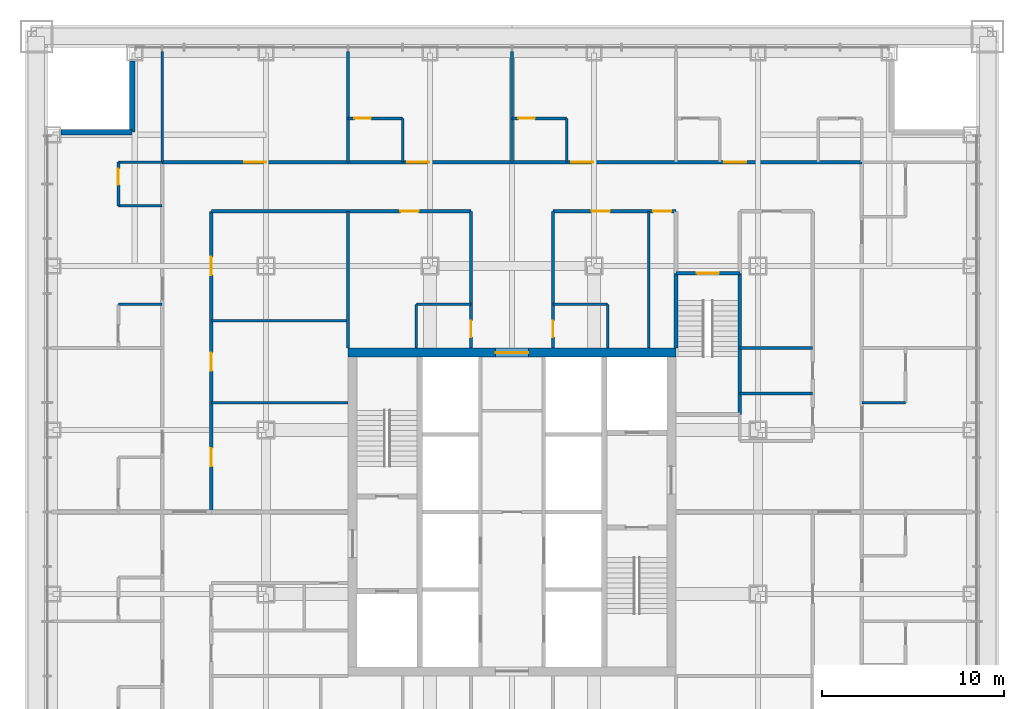
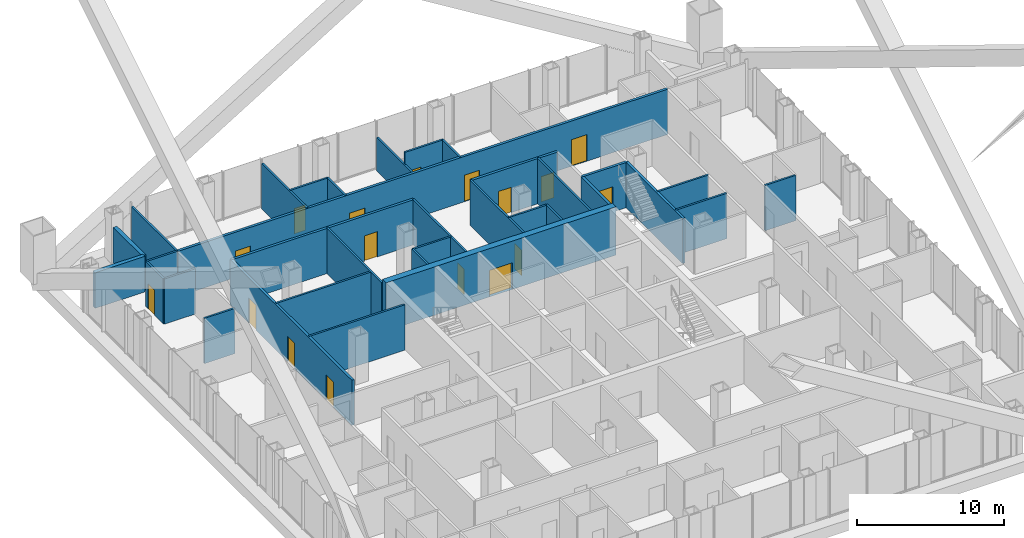
# One storey, part 15 of 21: 34 walls, 17 doors, 17 openings.
"""IFC4 building model written with IfcOpenShell, lengths in metres."""

from ifc_helpers import new_model, si_unit, direction, frame, frame_2d, origin, place, context, subcontext, project, spatial, rectangle, extrude, material, layer, layer_set, type_object, element, fill, save


model = new_model("IFC4")

# Units and contexts
model_context = context("Model", 3, precision=1e-05, world=origin(), true_north=direction((0.0, 1.0)))
body_context = subcontext(model_context, "Body", "Model", "MODEL_VIEW")
ifc_project = project(units=[si_unit("LENGTHUNIT", "METRE"), si_unit("AREAUNIT", "SQUARE_METRE"), si_unit("VOLUMEUNIT", "CUBIC_METRE"), si_unit("PLANEANGLEUNIT", "RADIAN"), si_unit("MASSUNIT", "GRAM", prefix="KILO")], contexts=[model_context])

# Site, building, storey
site_placement = place(None, origin())
site = spatial("IfcSite", under=ifc_project, at=site_placement, CompositionType="ELEMENT")
building_placement = place(site_placement, origin())
building = spatial("IfcBuilding", under=site, at=building_placement, Name="Malebo Sky Hospital", CompositionType="ELEMENT")
storey_placement = place(building_placement, frame((0.0, 0.0, 63.0)))
storey = spatial("IfcBuildingStorey", under=building, at=storey_placement, Name="L14", CompositionType="ELEMENT", Elevation=63.0)

# Wall, opening, door
ifc_material_1 = material(Name="Concrete C80/95", Category="concrete")
ifc_layer_1 = layer(ifc_material_1, 0.5)
ifc_layer_set_1 = layer_set([ifc_layer_1], Name="CORE WALL 500")
wall_type_1 = type_object("IfcWallType", Name="CORE WALL 500", PredefinedType="SHEAR", material=ifc_layer_set_1)
wall_1_placement = place(storey_placement, frame((51.0, 70.75, 0.0), z_axis=(0.0, 0.0, 1.0), x_axis=(1.0, 0.0, 0.0)))
wall_1 = element("IfcWall", 1, at=wall_1_placement, inside=storey, type_object=wall_type_1, Name="Core wall N L14", PredefinedType="SHEAR", context=body_context, shape_type="SweptSolid", body=[
    extrude(rectangle(XDim=18.0, YDim=0.5, at=frame_2d((9.0, 0.0))), origin(), (0.0, 0.0, 1.0), 4.0),
])
opening_1_placement = place(wall_1_placement, frame((8.10009765625, 0.0, 0.0)))
opening_1 = element("IfcOpeningElement", 2, at=opening_1_placement, cuts=wall_1, Name="Opening D06", PredefinedType="OPENING", context=body_context, shape_type="SweptSolid", body=[
    extrude(rectangle(XDim=1.800048828125, YDim=2.199951171875, at=frame_2d((0.89990234375, 1.10009765625))), frame((0.0, 0.260009765625, 0.0), z_axis=(0.0, -1.0, 0.0), x_axis=(1.0, 0.0, 0.0)), (0.0, 0.0, 1.0), 0.52001953125),
])
ifc_material_2 = material(Name="Hardwood-faced door leaf in steel frame", Category="steel")
door_type_1 = type_object("IfcDoorType", Name="LOBBY DOOR PAIR 1800", OperationType="DOUBLE_DOOR_SINGLE_SWING", PredefinedType="DOOR", material=ifc_material_2)
door_1_placement = place(opening_1_placement, origin())
door_1 = element("IfcDoor", 3, at=door_1_placement, inside=storey, type_object=door_type_1, Name="vending room door north", OperationType="DOUBLE_DOOR_SINGLE_SWING", OverallHeight=2.199951171875, OverallWidth=1.800048828125, PredefinedType="DOOR", context=body_context, shape_type="SweptSolid", body=[
    extrude(rectangle(XDim=1.800048828125, YDim=2.199951171875, at=frame_2d((0.89990234375, 1.10009765625))), frame((0.0, 0.02490234375, 0.0), z_axis=(0.0, -1.0, 0.0), x_axis=(1.0, 0.0, 0.0)), (0.0, 0.0, 1.0), 0.050048828125),
])
fill(opening_1, door_1)

# Wall, openings, doors
ifc_material_3 = material(Name="Gypsum board on steel studs", Category="steel")
ifc_layer_2 = layer(ifc_material_3, 0.199951171875)
ifc_layer_set_2 = layer_set([ifc_layer_2], Name="CORRIDOR WALL 200")
wall_type_2 = type_object("IfcWallType", Name="CORRIDOR WALL 200", PredefinedType="PARTITIONING", material=ifc_layer_set_2)
wall_2_placement = place(storey_placement, frame((40.800048828125, 81.199951171875, 0.0), z_axis=(0.0, 0.0, 1.0), x_axis=(1.0, 0.0, 0.0)))
wall_2 = element("IfcWall", 4, at=wall_2_placement, inside=storey, type_object=wall_type_2, Name="Corridor Wall 200 NCO", PredefinedType="PARTITIONING", context=body_context, shape_type="SweptSolid", body=[
    extrude(rectangle(XDim=38.39990234375, YDim=0.199951171875, at=frame_2d((19.199951171875, 0.0))), origin(), (0.0, 0.0, 1.0), 3.75),
])
opening_2_placement = place(wall_2_placement, frame((4.5, 0.0, 0.0)))
opening_2 = element("IfcOpeningElement", 5, at=opening_2_placement, cuts=wall_2, Name="Opening D01", PredefinedType="OPENING", context=body_context, shape_type="SweptSolid", body=[
    extrude(rectangle(XDim=1.199951171875, YDim=2.199951171875, at=frame_2d((0.60009765625, 1.10009765625))), frame((0.0, 0.10986328125, 0.0), z_axis=(0.0, -1.0, 0.0), x_axis=(1.0, 0.0, 0.0)), (0.0, 0.0, 1.0), 0.219970703125),
])
opening_3_placement = place(wall_2_placement, frame((13.449951171875, 0.0, 0.0)))
opening_3 = element("IfcOpeningElement", 6, at=opening_3_placement, cuts=wall_2, Name="Opening D01", PredefinedType="OPENING", context=body_context, shape_type="SweptSolid", body=[
    extrude(rectangle(XDim=1.199951171875, YDim=2.199951171875, at=frame_2d((0.60009765625, 1.10009765625))), frame((0.0, 0.10986328125, 0.0), z_axis=(0.0, -1.0, 0.0), x_axis=(1.0, 0.0, 0.0)), (0.0, 0.0, 1.0), 0.219970703125),
])
opening_4_placement = place(wall_2_placement, frame((22.449951171875, 0.0, 0.0)))
opening_4 = element("IfcOpeningElement", 7, at=opening_4_placement, cuts=wall_2, Name="Opening D01", PredefinedType="OPENING", context=body_context, shape_type="SweptSolid", body=[
    extrude(rectangle(XDim=1.199951171875, YDim=2.199951171875, at=frame_2d((0.60009765625, 1.10009765625))), frame((0.0, 0.10986328125, 0.0), z_axis=(0.0, -1.0, 0.0), x_axis=(1.0, 0.0, 0.0)), (0.0, 0.0, 1.0), 0.219970703125),
])
opening_5_placement = place(wall_2_placement, frame((30.85009765625, 0.0, 0.0)))
opening_5 = element("IfcOpeningElement", 8, at=opening_5_placement, cuts=wall_2, Name="Opening D01", PredefinedType="OPENING", context=body_context, shape_type="SweptSolid", body=[
    extrude(rectangle(XDim=1.199951171875, YDim=2.199951171875, at=frame_2d((0.60009765625, 1.10009765625))), frame((0.0, 0.10986328125, 0.0), z_axis=(0.0, -1.0, 0.0), x_axis=(1.0, 0.0, 0.0)), (0.0, 0.0, 1.0), 0.219970703125),
])
door_type_2 = type_object("IfcDoorType", Name="BED DOOR 1200", OperationType="SINGLE_SWING_LEFT", PredefinedType="DOOR", material=ifc_material_2)
door_2_placement = place(opening_2_placement, origin())
door_2 = element("IfcDoor", 9, at=door_2_placement, inside=storey, type_object=door_type_2, Name="Therapy room door", OperationType="SINGLE_SWING_LEFT", OverallHeight=2.199951171875, OverallWidth=1.199951171875, PredefinedType="DOOR", context=body_context, shape_type="SweptSolid", body=[
    extrude(rectangle(XDim=1.199951171875, YDim=2.199951171875, at=frame_2d((0.60009765625, 1.10009765625))), frame((0.0, 0.02490234375, 0.0), z_axis=(0.0, -1.0, 0.0), x_axis=(1.0, 0.0, 0.0)), (0.0, 0.0, 1.0), 0.050048828125),
])
fill(opening_2, door_2)
door_3_placement = place(opening_3_placement, origin())
door_3 = element("IfcDoor", 10, at=door_3_placement, inside=storey, type_object=door_type_2, Name="Two-bed room door", OperationType="SINGLE_SWING_LEFT", OverallHeight=2.199951171875, OverallWidth=1.199951171875, PredefinedType="DOOR", context=body_context, shape_type="SweptSolid", body=[
    extrude(rectangle(XDim=1.199951171875, YDim=2.199951171875, at=frame_2d((0.60009765625, 1.10009765625))), frame((0.0, 0.02490234375, 0.0), z_axis=(0.0, -1.0, 0.0), x_axis=(1.0, 0.0, 0.0)), (0.0, 0.0, 1.0), 0.050048828125),
])
fill(opening_3, door_3)
door_4_placement = place(opening_4_placement, origin())
door_4 = element("IfcDoor", 11, at=door_4_placement, inside=storey, type_object=door_type_2, Name="Two-bed room door", OperationType="SINGLE_SWING_LEFT", OverallHeight=2.199951171875, OverallWidth=1.199951171875, PredefinedType="DOOR", context=body_context, shape_type="SweptSolid", body=[
    extrude(rectangle(XDim=1.199951171875, YDim=2.199951171875, at=frame_2d((0.60009765625, 1.10009765625))), frame((0.0, 0.02490234375, 0.0), z_axis=(0.0, -1.0, 0.0), x_axis=(1.0, 0.0, 0.0)), (0.0, 0.0, 1.0), 0.050048828125),
])
fill(opening_4, door_4)
door_5_placement = place(opening_5_placement, origin())
door_5 = element("IfcDoor", 12, at=door_5_placement, inside=storey, type_object=door_type_2, Name="Four-bed bay door", OperationType="SINGLE_SWING_LEFT", OverallHeight=2.199951171875, OverallWidth=1.199951171875, PredefinedType="DOOR", context=body_context, shape_type="SweptSolid", body=[
    extrude(rectangle(XDim=1.199951171875, YDim=2.199951171875, at=frame_2d((0.60009765625, 1.10009765625))), frame((0.0, 0.02490234375, 0.0), z_axis=(0.0, -1.0, 0.0), x_axis=(1.0, 0.0, 0.0)), (0.0, 0.0, 1.0), 0.050048828125),
])
fill(opening_5, door_5)

# Wall, opening, door
wall_3_placement = place(storey_placement, frame((43.5, 78.5, 0.0), z_axis=(0.0, 0.0, 1.0), x_axis=(1.0, 0.0, 0.0)))
wall_3 = element("IfcWall", 13, at=wall_3_placement, inside=storey, type_object=wall_type_2, Name="Corridor Wall 200 NCI1", PredefinedType="PARTITIONING", context=body_context, shape_type="SweptSolid", body=[
    extrude(rectangle(XDim=14.25, YDim=0.199951171875, at=frame_2d((7.125, 0.0))), origin(), (0.0, 0.0, 1.0), 3.75),
])
opening_6_placement = place(wall_3_placement, frame((10.375, 0.0, 0.0)))
opening_6 = element("IfcOpeningElement", 14, at=opening_6_placement, cuts=wall_3, Name="Opening D03", PredefinedType="OPENING", context=body_context, shape_type="SweptSolid", body=[
    extrude(rectangle(XDim=1.0, YDim=2.10009765625, at=frame_2d((0.5, 1.050048828125))), frame((0.0, 0.10986328125, 0.0), z_axis=(0.0, -1.0, 0.0), x_axis=(1.0, 0.0, 0.0)), (0.0, 0.0, 1.0), 0.219970703125),
])
door_type_3 = type_object("IfcDoorType", Name="ROOM DOOR 1000", OperationType="SINGLE_SWING_LEFT", PredefinedType="DOOR", material=ifc_material_2)
door_6_placement = place(opening_6_placement, origin())
door_6 = element("IfcDoor", 15, at=door_6_placement, inside=storey, type_object=door_type_3, Name="Ward pantry door", OperationType="SINGLE_SWING_LEFT", OverallHeight=2.10009765625, OverallWidth=1.0, PredefinedType="DOOR", context=body_context, shape_type="SweptSolid", body=[
    extrude(rectangle(XDim=1.0, YDim=2.10009765625, at=frame_2d((0.5, 1.050048828125))), frame((0.0, 0.02490234375, 0.0), z_axis=(0.0, -1.0, 0.0), x_axis=(1.0, 0.0, 0.0)), (0.0, 0.0, 1.0), 0.050048828125),
])
fill(opening_6, door_6)

# Wall, openings, doors
wall_4_placement = place(storey_placement, frame((62.25, 78.5, 0.0), z_axis=(0.0, 0.0, 1.0), x_axis=(1.0, 0.0, 0.0)))
wall_4 = element("IfcWall", 16, at=wall_4_placement, inside=storey, type_object=wall_type_2, Name="Corridor Wall 200 NCI2", PredefinedType="PARTITIONING", context=body_context, shape_type="SweptSolid", body=[
    extrude(rectangle(XDim=6.75, YDim=0.199951171875, at=frame_2d((3.375, 0.0))), origin(), (0.0, 0.0, 1.0), 3.75),
])
opening_7_placement = place(wall_4_placement, frame((2.125, 0.0, 0.0)))
opening_7 = element("IfcOpeningElement", 17, at=opening_7_placement, cuts=wall_4, Name="Opening D03", PredefinedType="OPENING", context=body_context, shape_type="SweptSolid", body=[
    extrude(rectangle(XDim=1.0, YDim=2.10009765625, at=frame_2d((0.5, 1.050048828125))), frame((0.0, 0.10986328125, 0.0), z_axis=(0.0, -1.0, 0.0), x_axis=(1.0, 0.0, 0.0)), (0.0, 0.0, 1.0), 0.219970703125),
])
opening_8_placement = place(wall_4_placement, frame((5.5, 0.0, 0.0)))
opening_8 = element("IfcOpeningElement", 18, at=opening_8_placement, cuts=wall_4, Name="Opening D03", PredefinedType="OPENING", context=body_context, shape_type="SweptSolid", body=[
    extrude(rectangle(XDim=1.0, YDim=2.10009765625, at=frame_2d((0.5, 1.050048828125))), frame((0.0, 0.10986328125, 0.0), z_axis=(0.0, -1.0, 0.0), x_axis=(1.0, 0.0, 0.0)), (0.0, 0.0, 1.0), 0.219970703125),
])
door_7_placement = place(opening_7_placement, origin())
door_7 = element("IfcDoor", 19, at=door_7_placement, inside=storey, type_object=door_type_3, Name="Clean utility room door", OperationType="SINGLE_SWING_LEFT", OverallHeight=2.10009765625, OverallWidth=1.0, PredefinedType="DOOR", context=body_context, shape_type="SweptSolid", body=[
    extrude(rectangle(XDim=1.0, YDim=2.10009765625, at=frame_2d((0.5, 1.050048828125))), frame((0.0, 0.02490234375, 0.0), z_axis=(0.0, -1.0, 0.0), x_axis=(1.0, 0.0, 0.0)), (0.0, 0.0, 1.0), 0.050048828125),
])
fill(opening_7, door_7)
door_8_placement = place(opening_8_placement, origin())
door_8 = element("IfcDoor", 20, at=door_8_placement, inside=storey, type_object=door_type_3, Name="Physiotherapy store door", OperationType="SINGLE_SWING_RIGHT", OverallHeight=2.10009765625, OverallWidth=1.0, PredefinedType="DOOR", context=body_context, shape_type="SweptSolid", body=[
    extrude(rectangle(XDim=1.0, YDim=2.10009765625, at=frame_2d((0.5, 1.050048828125))), frame((0.0, 0.02490234375, 0.0), z_axis=(0.0, -1.0, 0.0), x_axis=(1.0, 0.0, 0.0)), (0.0, 0.0, 1.0), 0.050048828125),
])
fill(opening_8, door_8)

wall_5_placement = place(storey_placement, frame((43.5, 62.0, 0.0), z_axis=(0.0, 0.0, 1.0), x_axis=(0.0, 1.0, 0.0)))
wall_5 = element("IfcWall", 21, at=wall_5_placement, inside=storey, type_object=wall_type_2, Name="Corridor Wall 200 WCI2", PredefinedType="PARTITIONING", context=body_context, shape_type="SweptSolid", body=[
    extrude(rectangle(XDim=16.5, YDim=0.199951171875, at=frame_2d((8.25, 0.0))), origin(), (0.0, 0.0, 1.0), 3.75),
])
opening_9_placement = place(wall_5_placement, frame((2.5, 0.0, 0.0)))
opening_9 = element("IfcOpeningElement", 22, at=opening_9_placement, cuts=wall_5, Name="Opening D03", PredefinedType="OPENING", context=body_context, shape_type="SweptSolid", body=[
    extrude(rectangle(XDim=1.0, YDim=2.10009765625, at=frame_2d((0.5, 1.050048828125))), frame((0.0, 0.10986328125, 0.0), z_axis=(0.0, -1.0, 0.0), x_axis=(1.0, 0.0, 0.0)), (0.0, 0.0, 1.0), 0.219970703125),
])
opening_10_placement = place(wall_5_placement, frame((7.75, 0.0, 0.0)))
opening_10 = element("IfcOpeningElement", 23, at=opening_10_placement, cuts=wall_5, Name="Opening D03", PredefinedType="OPENING", context=body_context, shape_type="SweptSolid", body=[
    extrude(rectangle(XDim=1.0, YDim=2.10009765625, at=frame_2d((0.5, 1.050048828125))), frame((0.0, 0.10986328125, 0.0), z_axis=(0.0, -1.0, 0.0), x_axis=(1.0, 0.0, 0.0)), (0.0, 0.0, 1.0), 0.219970703125),
])
opening_11_placement = place(wall_5_placement, frame((13.0, 0.0, 0.0)))
opening_11 = element("IfcOpeningElement", 24, at=opening_11_placement, cuts=wall_5, Name="Opening D03", PredefinedType="OPENING", context=body_context, shape_type="SweptSolid", body=[
    extrude(rectangle(XDim=1.0, YDim=2.10009765625, at=frame_2d((0.5, 1.050048828125))), frame((0.0, 0.10986328125, 0.0), z_axis=(0.0, -1.0, 0.0), x_axis=(1.0, 0.0, 0.0)), (0.0, 0.0, 1.0), 0.219970703125),
])
door_9_placement = place(opening_9_placement, origin())
door_9 = element("IfcDoor", 25, at=door_9_placement, inside=storey, type_object=door_type_3, Name="Plaster room door", OperationType="SINGLE_SWING_LEFT", OverallHeight=2.10009765625, OverallWidth=1.0, PredefinedType="DOOR", context=body_context, shape_type="SweptSolid", body=[
    extrude(rectangle(XDim=1.0, YDim=2.10009765625, at=frame_2d((0.5, 1.050048828125))), frame((0.0, 0.02490234375, 0.0), z_axis=(0.0, -1.0, 0.0), x_axis=(1.0, 0.0, 0.0)), (0.0, 0.0, 1.0), 0.050048828125),
])
fill(opening_9, door_9)
door_10_placement = place(opening_10_placement, origin())
door_10 = element("IfcDoor", 26, at=door_10_placement, inside=storey, type_object=door_type_3, Name="Orthotics fitting room door", OperationType="SINGLE_SWING_LEFT", OverallHeight=2.10009765625, OverallWidth=1.0, PredefinedType="DOOR", context=body_context, shape_type="SweptSolid", body=[
    extrude(rectangle(XDim=1.0, YDim=2.10009765625, at=frame_2d((0.5, 1.050048828125))), frame((0.0, 0.02490234375, 0.0), z_axis=(0.0, -1.0, 0.0), x_axis=(1.0, 0.0, 0.0)), (0.0, 0.0, 1.0), 0.050048828125),
])
fill(opening_10, door_10)
door_11_placement = place(opening_11_placement, origin())
door_11 = element("IfcDoor", 27, at=door_11_placement, inside=storey, type_object=door_type_3, Name="Equipment bay store door", OperationType="SINGLE_SWING_RIGHT", OverallHeight=2.10009765625, OverallWidth=1.0, PredefinedType="DOOR", context=body_context, shape_type="SweptSolid", body=[
    extrude(rectangle(XDim=1.0, YDim=2.10009765625, at=frame_2d((0.5, 1.050048828125))), frame((0.0, 0.02490234375, 0.0), z_axis=(0.0, -1.0, 0.0), x_axis=(1.0, 0.0, 0.0)), (0.0, 0.0, 1.0), 0.050048828125),
])
fill(opening_11, door_11)

# Walls
ifc_material_4 = material(Name="Anodised aluminium rainscreen on steel framing", Category="steel")
ifc_layer_3 = layer(ifc_material_4, 0.300048828125)
ifc_layer_set_3 = layer_set([ifc_layer_3], Name="NOTCH RAINSCREEN WALL 300")
wall_type_3 = type_object("IfcWallType", Name="NOTCH RAINSCREEN WALL 300", PredefinedType="ELEMENTEDWALL", material=ifc_layer_set_3)
for number, where, z_axis, x_axis, name in (
    (28, (35.25, 82.85009765625, 0.0), (0.0, 0.0, 1.0), (1.0, 0.0, 0.0), "Notch rainscreen wall W1 L14"),
    (29, (39.14990234375, 82.85009765625, 0.0), (0.0, 0.0, 1.0), (0.0, 1.0, 0.0), "Notch rainscreen wall W2 L14"),
):
    element("IfcWall", number, at=place(storey_placement, frame(where, z_axis=z_axis, x_axis=x_axis)), inside=storey, type_object=wall_type_3, Name=name, PredefinedType="ELEMENTEDWALL", context=body_context, shape_type="SweptSolid", body=[
        extrude(rectangle(XDim=3.89990234375, YDim=0.300048828125, at=frame_2d((1.949951171875, 0.0))), origin(), (0.0, 0.0, 1.0), 2.949951171875),
    ])
ifc_layer_4 = layer(ifc_material_3, 0.14990234375)
ifc_layer_set_4 = layer_set([ifc_layer_4], Name="PARTITION 150")
wall_type_4 = type_object("IfcWallType", Name="PARTITION 150", PredefinedType="PARTITIONING", material=ifc_layer_set_4)
wall_6_placement = place(storey_placement, frame((51.0, 81.199951171875, 0.0), z_axis=(0.0, 0.0, 1.0), x_axis=(0.0, 1.0, 0.0)))
element("IfcWall", 30, at=wall_6_placement, inside=storey, type_object=wall_type_4, Name="Partition 150 NP-9.0", PredefinedType="PARTITIONING", context=body_context, shape_type="SweptSolid", body=[
    extrude(rectangle(XDim=6.074951171875, YDim=0.14990234375, at=frame_2d((3.03759765625, 0.0))), origin(), (0.0, 0.0, 1.0), 3.75),
])
wall_7_placement = place(storey_placement, frame((60.0, 81.199951171875, 0.0), z_axis=(0.0, 0.0, 1.0), x_axis=(0.0, 1.0, 0.0)))
element("IfcWall", 31, at=wall_7_placement, inside=storey, type_object=wall_type_4, Name="Partition 150 NP+0.0", PredefinedType="PARTITIONING", context=body_context, shape_type="SweptSolid", body=[
    extrude(rectangle(XDim=6.074951171875, YDim=0.14990234375, at=frame_2d((3.03759765625, 0.0))), origin(), (0.0, 0.0, 1.0), 2.75),
])
wall_8_placement = place(storey_placement, frame((40.800048828125, 81.199951171875, 0.0), z_axis=(0.0, 0.0, 1.0), x_axis=(0.0, 1.0, 0.0)))
element("IfcWall", 32, at=wall_8_placement, inside=storey, type_object=wall_type_4, Name="Partition 150 NP0", PredefinedType="PARTITIONING", context=body_context, shape_type="SweptSolid", body=[
    extrude(rectangle(XDim=6.074951171875, YDim=0.14990234375, at=frame_2d((3.03759765625, 0.0))), origin(), (0.0, 0.0, 1.0), 3.75),
])

# Wall, opening, door
wall_9_placement = place(storey_placement, frame((51.0, 83.60009765625, 0.0), z_axis=(0.0, 0.0, 1.0), x_axis=(1.0, 0.0, 0.0)))
wall_9 = element("IfcWall", 33, at=wall_9_placement, inside=storey, type_object=wall_type_4, Name="Partition 150 NE1F", PredefinedType="PARTITIONING", context=body_context, shape_type="SweptSolid", body=[
    extrude(rectangle(XDim=3.0, YDim=0.14990234375, at=frame_2d((1.5, 0.0))), origin(), (0.0, 0.0, 1.0), 3.75),
])
opening_12_placement = place(wall_9_placement, frame((0.35009765625, 0.0, 0.0)))
opening_12 = element("IfcOpeningElement", 34, at=opening_12_placement, cuts=wall_9, Name="Opening D02", PredefinedType="OPENING", context=body_context, shape_type="SweptSolid", body=[
    extrude(rectangle(XDim=0.89990234375, YDim=2.10009765625, at=frame_2d((0.449951171875, 1.050048828125))), frame((0.0, 0.0849609375, 0.0), z_axis=(0.0, -1.0, 0.0), x_axis=(1.0, 0.0, 0.0)), (0.0, 0.0, 1.0), 0.169921875),
])
door_type_4 = type_object("IfcDoorType", Name="EN-SUITE DOOR 900", OperationType="SINGLE_SWING_LEFT", PredefinedType="DOOR", material=ifc_material_2)
door_12_placement = place(opening_12_placement, origin())
door_12 = element("IfcDoor", 35, at=door_12_placement, inside=storey, type_object=door_type_4, Name="En-suite door", OperationType="SINGLE_SWING_LEFT", OverallHeight=2.10009765625, OverallWidth=0.89990234375, PredefinedType="DOOR", context=body_context, shape_type="SweptSolid", body=[
    extrude(rectangle(XDim=0.89990234375, YDim=2.10009765625, at=frame_2d((0.449951171875, 1.050048828125))), frame((0.0, 0.02490234375, 0.0), z_axis=(0.0, -1.0, 0.0), x_axis=(1.0, 0.0, 0.0)), (0.0, 0.0, 1.0), 0.050048828125),
])
fill(opening_12, door_12)

# Wall
wall_10_placement = place(storey_placement, frame((54.0, 81.199951171875, 0.0), z_axis=(0.0, 0.0, 1.0), x_axis=(0.0, 1.0, 0.0)))
element("IfcWall", 36, at=wall_10_placement, inside=storey, type_object=wall_type_4, Name="Partition 150 NE1S", PredefinedType="PARTITIONING", context=body_context, shape_type="SweptSolid", body=[
    extrude(rectangle(XDim=2.400146484375, YDim=0.14990234375, at=frame_2d((1.2001953125, 0.0))), origin(), (0.0, 0.0, 1.0), 3.75),
])

# Wall, opening, door
wall_11_placement = place(storey_placement, frame((60.0, 83.60009765625, 0.0), z_axis=(0.0, 0.0, 1.0), x_axis=(1.0, 0.0, 0.0)))
wall_11 = element("IfcWall", 37, at=wall_11_placement, inside=storey, type_object=wall_type_4, Name="Partition 150 NE2F", PredefinedType="PARTITIONING", context=body_context, shape_type="SweptSolid", body=[
    extrude(rectangle(XDim=3.0, YDim=0.14990234375, at=frame_2d((1.5, 0.0))), origin(), (0.0, 0.0, 1.0), 3.75),
])
opening_13_placement = place(wall_11_placement, frame((0.35009765625, 0.0, 0.0)))
opening_13 = element("IfcOpeningElement", 38, at=opening_13_placement, cuts=wall_11, Name="Opening D02", PredefinedType="OPENING", context=body_context, shape_type="SweptSolid", body=[
    extrude(rectangle(XDim=0.89990234375, YDim=2.10009765625, at=frame_2d((0.449951171875, 1.050048828125))), frame((0.0, 0.0849609375, 0.0), z_axis=(0.0, -1.0, 0.0), x_axis=(1.0, 0.0, 0.0)), (0.0, 0.0, 1.0), 0.169921875),
])
door_13_placement = place(opening_13_placement, origin())
door_13 = element("IfcDoor", 39, at=door_13_placement, inside=storey, type_object=door_type_4, Name="En-suite door", OperationType="SINGLE_SWING_LEFT", OverallHeight=2.10009765625, OverallWidth=0.89990234375, PredefinedType="DOOR", context=body_context, shape_type="SweptSolid", body=[
    extrude(rectangle(XDim=0.89990234375, YDim=2.10009765625, at=frame_2d((0.449951171875, 1.050048828125))), frame((0.0, 0.02490234375, 0.0), z_axis=(0.0, -1.0, 0.0), x_axis=(1.0, 0.0, 0.0)), (0.0, 0.0, 1.0), 0.050048828125),
])
fill(opening_13, door_13)

# Walls
wall_12_placement = place(storey_placement, frame((63.0, 81.199951171875, 0.0), z_axis=(0.0, 0.0, 1.0), x_axis=(0.0, 1.0, 0.0)))
element("IfcWall", 40, at=wall_12_placement, inside=storey, type_object=wall_type_4, Name="Partition 150 NE2S", PredefinedType="PARTITIONING", context=body_context, shape_type="SweptSolid", body=[
    extrude(rectangle(XDim=2.400146484375, YDim=0.14990234375, at=frame_2d((1.2001953125, 0.0))), origin(), (0.0, 0.0, 1.0), 3.75),
])
wall_13_placement = place(storey_placement, frame((51.0, 71.0, 0.0), z_axis=(0.0, 0.0, 1.0), x_axis=(0.0, 1.0, 0.0)))
element("IfcWall", 41, at=wall_13_placement, inside=storey, type_object=wall_type_4, Name="Partition 150 NSP0", PredefinedType="PARTITIONING", context=body_context, shape_type="SweptSolid", body=[
    extrude(rectangle(XDim=7.5, YDim=0.14990234375, at=frame_2d((3.75, 0.0))), origin(), (0.0, 0.0, 1.0), 3.75),
])

# Wall, opening, door
wall_14_placement = place(storey_placement, frame((57.75, 71.0, 0.0), z_axis=(0.0, 0.0, 1.0), x_axis=(0.0, 1.0, 0.0)))
wall_14 = element("IfcWall", 42, at=wall_14_placement, inside=storey, type_object=wall_type_4, Name="Partition 150 NSPA", PredefinedType="PARTITIONING", context=body_context, shape_type="SweptSolid", body=[
    extrude(rectangle(XDim=7.5, YDim=0.14990234375, at=frame_2d((3.75, 0.0))), origin(), (0.0, 0.0, 1.0), 3.75),
])
opening_14_placement = place(wall_14_placement, frame((0.60009765625, 0.0, 0.0)))
opening_14 = element("IfcOpeningElement", 43, at=opening_14_placement, cuts=wall_14, Name="Opening D04", PredefinedType="OPENING", context=body_context, shape_type="SweptSolid", body=[
    extrude(rectangle(XDim=0.89990234375, YDim=2.10009765625, at=frame_2d((0.449951171875, 1.050048828125))), frame((0.0, 0.0849609375, 0.0), z_axis=(0.0, -1.0, 0.0), x_axis=(1.0, 0.0, 0.0)), (0.0, 0.0, 1.0), 0.169921875),
])
door_type_5 = type_object("IfcDoorType", Name="ROOM DOOR 900", OperationType="SINGLE_SWING_LEFT", PredefinedType="DOOR", material=ifc_material_2)
door_14_placement = place(opening_14_placement, origin())
door_14 = element("IfcDoor", 44, at=door_14_placement, inside=storey, type_object=door_type_5, Name="Staff WC door", OperationType="SINGLE_SWING_LEFT", OverallHeight=2.10009765625, OverallWidth=0.89990234375, PredefinedType="DOOR", context=body_context, shape_type="SweptSolid", body=[
    extrude(rectangle(XDim=0.89990234375, YDim=2.10009765625, at=frame_2d((0.449951171875, 1.050048828125))), frame((0.0, 0.02490234375, 0.0), z_axis=(0.0, -1.0, 0.0), x_axis=(1.0, 0.0, 0.0)), (0.0, 0.0, 1.0), 0.050048828125),
])
fill(opening_14, door_14)

wall_15_placement = place(storey_placement, frame((62.25, 71.0, 0.0), z_axis=(0.0, 0.0, 1.0), x_axis=(0.0, 1.0, 0.0)))
wall_15 = element("IfcWall", 45, at=wall_15_placement, inside=storey, type_object=wall_type_4, Name="Partition 150 NSPB", PredefinedType="PARTITIONING", context=body_context, shape_type="SweptSolid", body=[
    extrude(rectangle(XDim=7.5, YDim=0.14990234375, at=frame_2d((3.75, 0.0))), origin(), (0.0, 0.0, 1.0), 3.75),
])
opening_15_placement = place(wall_15_placement, frame((0.60009765625, 0.0, 0.0)))
opening_15 = element("IfcOpeningElement", 46, at=opening_15_placement, cuts=wall_15, Name="Opening D04", PredefinedType="OPENING", context=body_context, shape_type="SweptSolid", body=[
    extrude(rectangle(XDim=0.89990234375, YDim=2.10009765625, at=frame_2d((0.449951171875, 1.050048828125))), frame((0.0, 0.0849609375, 0.0), z_axis=(0.0, -1.0, 0.0), x_axis=(1.0, 0.0, 0.0)), (0.0, 0.0, 1.0), 0.169921875),
])
door_15_placement = place(opening_15_placement, origin())
door_15 = element("IfcDoor", 47, at=door_15_placement, inside=storey, type_object=door_type_5, Name="Accessible WC door", OperationType="SINGLE_SWING_LEFT", OverallHeight=2.10009765625, OverallWidth=0.89990234375, PredefinedType="DOOR", context=body_context, shape_type="SweptSolid", body=[
    extrude(rectangle(XDim=0.89990234375, YDim=2.10009765625, at=frame_2d((0.449951171875, 1.050048828125))), frame((0.0, 0.02490234375, 0.0), z_axis=(0.0, -1.0, 0.0), x_axis=(1.0, 0.0, 0.0)), (0.0, 0.0, 1.0), 0.050048828125),
])
fill(opening_15, door_15)

# Walls
wall_16_placement = place(storey_placement, frame((67.5, 71.0, 0.0), z_axis=(0.0, 0.0, 1.0), x_axis=(0.0, 1.0, 0.0)))
element("IfcWall", 48, at=wall_16_placement, inside=storey, type_object=wall_type_4, Name="Partition 150 NSP+7.5", PredefinedType="PARTITIONING", context=body_context, shape_type="SweptSolid", body=[
    extrude(rectangle(XDim=7.5, YDim=0.14990234375, at=frame_2d((3.75, 0.0))), origin(), (0.0, 0.0, 1.0), 3.75),
])
wall_17_placement = place(storey_placement, frame((54.75, 73.39990234375, 0.0), z_axis=(0.0, 0.0, 1.0), x_axis=(1.0, 0.0, 0.0)))
element("IfcWall", 49, at=wall_17_placement, inside=storey, type_object=wall_type_4, Name="Partition 150 NSX0", PredefinedType="PARTITIONING", context=body_context, shape_type="SweptSolid", body=[
    extrude(rectangle(XDim=3.0, YDim=0.14990234375, at=frame_2d((1.5, 0.0))), origin(), (0.0, 0.0, 1.0), 3.75),
])
wall_18_placement = place(storey_placement, frame((54.75, 71.0, 0.0), z_axis=(0.0, 0.0, 1.0), x_axis=(0.0, 1.0, 0.0)))
element("IfcWall", 50, at=wall_18_placement, inside=storey, type_object=wall_type_4, Name="Partition 150 NSY0", PredefinedType="PARTITIONING", context=body_context, shape_type="SweptSolid", body=[
    extrude(rectangle(XDim=2.39990234375, YDim=0.14990234375, at=frame_2d((1.199951171875, 0.0))), origin(), (0.0, 0.0, 1.0), 3.75),
])
wall_19_placement = place(storey_placement, frame((62.25, 73.39990234375, 0.0), z_axis=(0.0, 0.0, 1.0), x_axis=(1.0, 0.0, 0.0)))
element("IfcWall", 51, at=wall_19_placement, inside=storey, type_object=wall_type_4, Name="Partition 150 NSX1", PredefinedType="PARTITIONING", context=body_context, shape_type="SweptSolid", body=[
    extrude(rectangle(XDim=3.0, YDim=0.14990234375, at=frame_2d((1.5, 0.0))), origin(), (0.0, 0.0, 1.0), 3.75),
])
wall_20_placement = place(storey_placement, frame((65.25, 71.0, 0.0), z_axis=(0.0, 0.0, 1.0), x_axis=(0.0, 1.0, 0.0)))
element("IfcWall", 52, at=wall_20_placement, inside=storey, type_object=wall_type_4, Name="Partition 150 NSY1", PredefinedType="PARTITIONING", context=body_context, shape_type="SweptSolid", body=[
    extrude(rectangle(XDim=2.39990234375, YDim=0.14990234375, at=frame_2d((1.199951171875, 0.0))), origin(), (0.0, 0.0, 1.0), 3.75),
])
wall_21_placement = place(storey_placement, frame((40.800048828125, 73.39990234375, 0.0), z_axis=(0.0, 0.0, 1.0), x_axis=(-1.0, 0.0, 0.0)))
element("IfcWall", 53, at=wall_21_placement, inside=storey, type_object=wall_type_4, Name="Partition 150 WE4S", PredefinedType="PARTITIONING", context=body_context, shape_type="SweptSolid", body=[
    extrude(rectangle(XDim=2.400146484375, YDim=0.14990234375, at=frame_2d((1.2001953125, 0.0))), origin(), (0.0, 0.0, 1.0), 3.75),
])

# Wall, opening, door
wall_22_placement = place(storey_placement, frame((38.39990234375, 78.800048828125, 0.0), z_axis=(0.0, 0.0, 1.0), x_axis=(0.0, 1.0, 0.0)))
wall_22 = element("IfcWall", 54, at=wall_22_placement, inside=storey, type_object=wall_type_4, Name="Partition 150 WG4F", PredefinedType="PARTITIONING", context=body_context, shape_type="SweptSolid", body=[
    extrude(rectangle(XDim=2.39990234375, YDim=0.14990234375, at=frame_2d((1.199951171875, 0.0))), origin(), (0.0, 0.0, 1.0), 3.75),
])
opening_16_placement = place(wall_22_placement, frame((1.14990234375, 0.0, 0.0)))
opening_16 = element("IfcOpeningElement", 55, at=opening_16_placement, cuts=wall_22, Name="Opening D02", PredefinedType="OPENING", context=body_context, shape_type="SweptSolid", body=[
    extrude(rectangle(XDim=0.89990234375, YDim=2.10009765625, at=frame_2d((0.449951171875, 1.050048828125))), frame((0.0, 0.0849609375, 0.0), z_axis=(0.0, -1.0, 0.0), x_axis=(1.0, 0.0, 0.0)), (0.0, 0.0, 1.0), 0.169921875),
])
door_16_placement = place(opening_16_placement, origin())
door_16 = element("IfcDoor", 56, at=door_16_placement, inside=storey, type_object=door_type_4, Name="En-suite door", OperationType="SINGLE_SWING_RIGHT", OverallHeight=2.10009765625, OverallWidth=0.89990234375, PredefinedType="DOOR", context=body_context, shape_type="SweptSolid", body=[
    extrude(rectangle(XDim=0.89990234375, YDim=2.10009765625, at=frame_2d((0.449951171875, 1.050048828125))), frame((0.0, 0.02490234375, 0.0), z_axis=(0.0, -1.0, 0.0), x_axis=(1.0, 0.0, 0.0)), (0.0, 0.0, 1.0), 0.050048828125),
])
fill(opening_16, door_16)

# Walls
for number, where, z_axis, x_axis, name in (
    (57, (40.800048828125, 78.800048828125, 0.0), (0.0, 0.0, 1.0), (-1.0, 0.0, 0.0), "Partition 150 WG4S"),
    (58, (40.800048828125, 81.199951171875, 0.0), (0.0, 0.0, 1.0), (-1.0, 0.0, 0.0), "Partition 150 WEZ"),
):
    element("IfcWall", number, at=place(storey_placement, frame(where, z_axis=z_axis, x_axis=x_axis)), inside=storey, type_object=wall_type_4, Name=name, PredefinedType="PARTITIONING", context=body_context, shape_type="SweptSolid", body=[
        extrude(rectangle(XDim=2.400146484375, YDim=0.14990234375, at=frame_2d((1.2001953125, 0.0))), origin(), (0.0, 0.0, 1.0), 3.75),
    ])
for number, where, z_axis, x_axis, name in (
    (59, (51.0, 68.0, 0.0), (0.0, 0.0, 1.0), (-1.0, 0.0, 0.0), "Partition 150 WSP+6.0"),
    (60, (51.0, 72.5, 0.0), (0.0, 0.0, 1.0), (-1.0, 0.0, 0.0), "Partition 150 WSP+10.5"),
):
    element("IfcWall", number, at=place(storey_placement, frame(where, z_axis=z_axis, x_axis=x_axis)), inside=storey, type_object=wall_type_4, Name=name, PredefinedType="PARTITIONING", context=body_context, shape_type="SweptSolid", body=[
        extrude(rectangle(XDim=7.5, YDim=0.14990234375, at=frame_2d((3.75, 0.0))), origin(), (0.0, 0.0, 1.0), 3.75),
    ])
wall_23_placement = place(storey_placement, frame((79.199951171875, 68.0, 0.0), z_axis=(0.0, 0.0, 1.0), x_axis=(1.0, 0.0, 0.0)))
element("IfcWall", 61, at=wall_23_placement, inside=storey, type_object=wall_type_4, Name="Partition 150 EE1S", PredefinedType="PARTITIONING", context=body_context, shape_type="SweptSolid", body=[
    extrude(rectangle(XDim=2.400146484375, YDim=0.14990234375, at=frame_2d((1.2001953125, 0.0))), origin(), (0.0, 0.0, 1.0), 3.75),
])
for number, where, z_axis, x_axis, name in (
    (62, (72.5, 71.0, 0.0), (0.0, 0.0, 1.0), (1.0, 0.0, 0.0), "Partition 150 ESP0"),
    (63, (72.5, 68.5, 0.0), (0.0, 0.0, 1.0), (1.0, 0.0, 0.0), "Partition 150 ESP-6.5"),
):
    element("IfcWall", number, at=place(storey_placement, frame(where, z_axis=z_axis, x_axis=x_axis)), inside=storey, type_object=wall_type_4, Name=name, PredefinedType="PARTITIONING", context=body_context, shape_type="SweptSolid", body=[
        extrude(rectangle(XDim=4.0, YDim=0.14990234375, at=frame_2d((2.0, 0.0))), origin(), (0.0, 0.0, 1.0), 3.75),
    ])
ifc_material_5 = material(Name="Concrete C40/50", Category="concrete")
ifc_layer_5 = layer(ifc_material_5, 0.199951171875)
ifc_layer_set_5 = layer_set([ifc_layer_5], Name="STAIR ENCLOSURE WALL 200")
wall_type_5 = type_object("IfcWallType", Name="STAIR ENCLOSURE WALL 200", PredefinedType="SOLIDWALL", material=ifc_layer_set_5)
wall_24_placement = place(storey_placement, frame((69.0, 71.0, 0.0), z_axis=(0.0, 0.0, 1.0), x_axis=(0.0, 1.0, 0.0)))
element("IfcWall", 64, at=wall_24_placement, inside=storey, type_object=wall_type_5, Name="Stair Enclosure Wall 200 ST3W", PredefinedType="SOLIDWALL", context=body_context, shape_type="SweptSolid", body=[
    extrude(rectangle(XDim=4.10009765625, YDim=0.199951171875, at=frame_2d((2.050048828125, 0.0))), origin(), (0.0, 0.0, 1.0), 3.75),
])
wall_25_placement = place(storey_placement, frame((72.5, 67.35009765625, 0.0), z_axis=(0.0, 0.0, 1.0), x_axis=(0.0, 1.0, 0.0)))
element("IfcWall", 65, at=wall_25_placement, inside=storey, type_object=wall_type_5, Name="Stair Enclosure Wall 200 ST3E", PredefinedType="SOLIDWALL", context=body_context, shape_type="SweptSolid", body=[
    extrude(rectangle(XDim=7.75, YDim=0.199951171875, at=frame_2d((3.875, 0.0))), origin(), (0.0, 0.0, 1.0), 3.75),
])

# Wall, opening, door
wall_26_placement = place(storey_placement, frame((69.0, 75.10009765625, 0.0), z_axis=(0.0, 0.0, 1.0), x_axis=(1.0, 0.0, 0.0)))
wall_26 = element("IfcWall", 66, at=wall_26_placement, inside=storey, type_object=wall_type_5, Name="Stair Enclosure Wall 200 ST3N", PredefinedType="SOLIDWALL", context=body_context, shape_type="SweptSolid", body=[
    extrude(rectangle(XDim=3.5, YDim=0.199951171875, at=frame_2d((1.75, 0.0))), origin(), (0.0, 0.0, 1.0), 3.75),
])
opening_17_placement = place(wall_26_placement, frame((1.14990234375, 0.0, 0.0)))
opening_17 = element("IfcOpeningElement", 67, at=opening_17_placement, cuts=wall_26, Name="Opening D08", PredefinedType="OPENING", context=body_context, shape_type="SweptSolid", body=[
    extrude(rectangle(XDim=1.199951171875, YDim=2.10009765625, at=frame_2d((0.60009765625, 1.050048828125))), frame((0.0, 0.10986328125, 0.0), z_axis=(0.0, -1.0, 0.0), x_axis=(1.0, 0.0, 0.0)), (0.0, 0.0, 1.0), 0.219970703125),
])
door_type_6 = type_object("IfcDoorType", Name="STAIR DOOR 1200", OperationType="SINGLE_SWING_LEFT", PredefinedType="DOOR", material=ifc_material_2)
door_17_placement = place(opening_17_placement, origin())
door_17 = element("IfcDoor", 68, at=door_17_placement, inside=storey, type_object=door_type_6, Name="Stair S3 door", OperationType="SINGLE_SWING_LEFT", OverallHeight=2.10009765625, OverallWidth=1.199951171875, PredefinedType="DOOR", context=body_context, shape_type="SweptSolid", body=[
    extrude(rectangle(XDim=1.199951171875, YDim=2.10009765625, at=frame_2d((0.60009765625, 1.050048828125))), frame((0.0, 0.02490234375, 0.0), z_axis=(0.0, -1.0, 0.0), x_axis=(1.0, 0.0, 0.0)), (0.0, 0.0, 1.0), 0.050048828125),
])
fill(opening_17, door_17)

save(model, "model.ifc")
